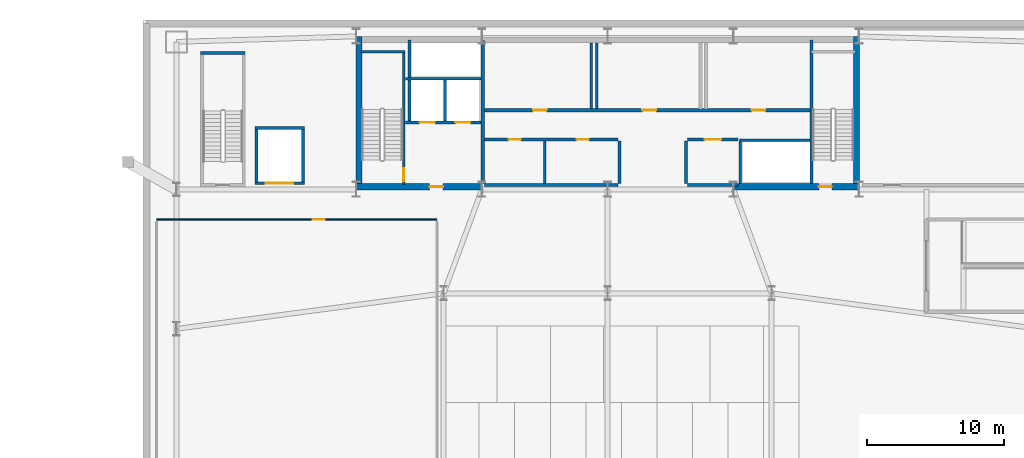
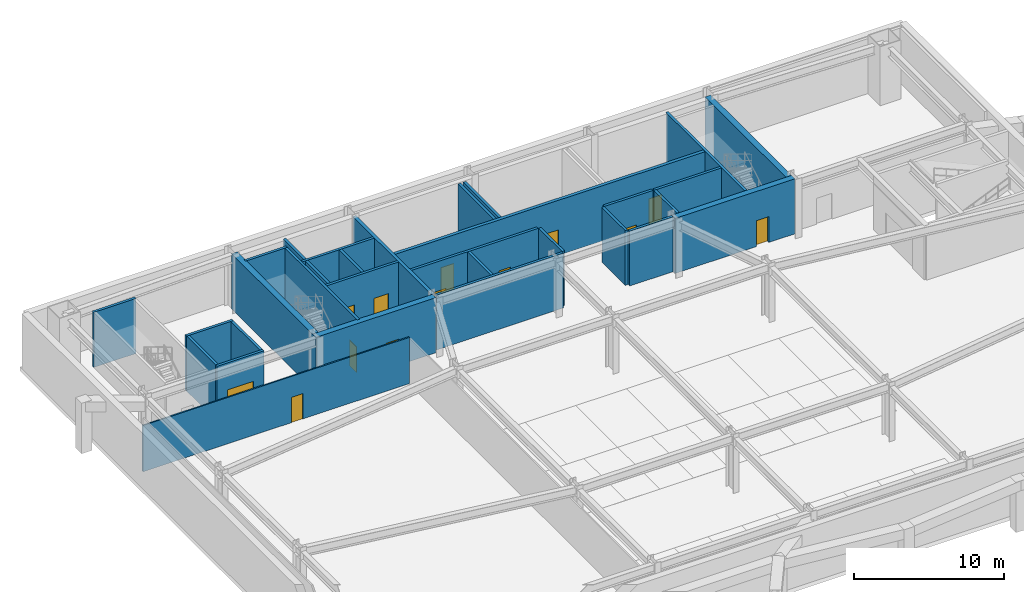
# One storey, part 5 of 9: 30 walls, 13 doors, 13 openings.
"""IFC4 building model written with IfcOpenShell, lengths in metres."""

from ifc_helpers import new_model, si_unit, direction, frame, frame_2d, origin, place, context, subcontext, project, spatial, rectangle, extrude, source, transform, mapped, material, layer, layer_set, type_object, type_shapes, element, fill, save


model = new_model("IFC4")

# Units and contexts
model_context = context("Model", 3, precision=1e-05, world=origin(), true_north=direction((0.0, 1.0)))
body_context = subcontext(model_context, "Body", "Model", "MODEL_VIEW")
ifc_project = project(units=[si_unit("LENGTHUNIT", "METRE"), si_unit("AREAUNIT", "SQUARE_METRE"), si_unit("VOLUMEUNIT", "CUBIC_METRE"), si_unit("PLANEANGLEUNIT", "RADIAN"), si_unit("MASSUNIT", "GRAM", prefix="KILO")], contexts=[model_context])

# Site, building, storey
site_placement = place(None, origin())
site = spatial("IfcSite", under=ifc_project, at=site_placement, CompositionType="ELEMENT")
building_placement = place(site_placement, origin())
building = spatial("IfcBuilding", under=site, at=building_placement, Name="Varnel Quay Broadcast Tower", CompositionType="ELEMENT")
storey_placement = place(building_placement, frame((0.0, 0.0, -4.800048828125)))
storey = spatial("IfcBuildingStorey", under=building, at=storey_placement, Name="B1", CompositionType="ELEMENT", Elevation=-4.800048828125)

# Wall, opening, door
ifc_material_1 = material(Name="Concrete CSA A23.3 C50/60", Category="concrete")
ifc_layer_1 = layer(ifc_material_1, 0.199951171875, Name="Concrete CSA A23.3 C50/60")
ifc_layer_set_1 = layer_set([ifc_layer_1], Name="Concrete CSA A23.3 C50/60")
wall_type_1 = type_object("IfcWallType", Name="Wall_CoreShaftShear200", PredefinedType="SHEAR", material=ifc_layer_set_1)
wall_1_placement = place(storey_placement, frame((19.080078125, 35.949951171875, 0.0), z_axis=(0.0, 0.0, 1.0), x_axis=(0.0, 1.0, 0.0)))
wall_1 = element("IfcWall", 1, at=wall_1_placement, inside=storey, type_object=wall_type_1, Name="B1 Stair 1 East Structural Wall", PredefinedType="SHEAR", context=body_context, shape_type="SweptSolid", body=[
    extrude(rectangle(XDim=9.650146484375, YDim=0.199951171875, at=frame_2d((4.8251953125, 0.0))), origin(), (0.0, 0.0, 1.0), 4.47998046875),
])
opening_1_placement = place(wall_1_placement, frame((0.25, 0.0, 0.0)))
opening_1 = element("IfcOpeningElement", 2, at=opening_1_placement, cuts=wall_1, Name="Opening D-B1-S1", PredefinedType="OPENING", context=body_context, shape_type="SweptSolid", body=[
    extrude(rectangle(XDim=0.949951171875, YDim=2.10009765625, at=frame_2d((0.47509765625, 1.050048828125))), frame((0.0, 0.10986328125, 0.0), z_axis=(0.0, -1.0, 0.0), x_axis=(1.0, 0.0, 0.0)), (0.0, 0.0, 1.0), 0.219970703125),
])
ifc_material_2 = material(Name="Insulated Fire-Rated Hollow Steel Door", Category="steel")
door_type_1 = type_object("IfcDoorType", Name="Door_FireStair950", OperationType="NOTDEFINED", PredefinedType="DOOR", material=ifc_material_2)
shared_shape_1 = source(origin(), body_context, "Body", "SweptSolid", [
    extrude(rectangle(XDim=0.949951171875, YDim=2.10009765625, at=frame_2d((0.47509765625, 1.050048828125))), frame((0.0, 0.02490234375, 0.0), z_axis=(0.0, -1.0, 0.0), x_axis=(1.0, 0.0, 0.0)), (0.0, 0.0, 1.0), 0.050048828125),
])
type_shapes(door_type_1, [shared_shape_1])
door_1_placement = place(opening_1_placement, origin())
door_1 = element("IfcDoor", 3, at=door_1_placement, inside=storey, type_object=door_type_1, Name="B1 Stair 1 Fire Door", OperationType="SINGLE_SWING_LEFT", OverallHeight=2.10009765625, OverallWidth=0.949951171875, PredefinedType="DOOR", context=body_context, shape_type="MappedRepresentation", body=[
    mapped(shared_shape_1, transform((0.0, 0.0, 0.0), x_axis=(1.0, 0.0, 0.0), y_axis=(0.0, 1.0, 0.0), z_axis=(0.0, 0.0, 1.0), scale=1.0)),
])
fill(opening_1, door_1)

# Wall
wall_2_placement = place(storey_placement, frame((15.949951171875, 45.679931640625, 0.0), z_axis=(0.0, 0.0, 1.0), x_axis=(1.0, 0.0, 0.0)))
element("IfcWall", 4, at=wall_2_placement, inside=storey, type_object=wall_type_1, Name="B1 Stair 1 North Structural Wall", PredefinedType="SHEAR", context=body_context, shape_type="SweptSolid", body=[
    extrude(rectangle(XDim=3.22998046875, YDim=0.199951171875, at=frame_2d((1.614990234375, 0.0))), origin(), (0.0, 0.0, 1.0), 4.47998046875),
])

# Wall, openings, doors
wall_3_placement = place(storey_placement, frame((19.199951171875, 40.5, 0.0), z_axis=(0.0, 0.0, 1.0), x_axis=(1.0, 0.0, 0.0)))
wall_3 = element("IfcWall", 5, at=wall_3_placement, inside=storey, type_object=wall_type_1, Name="B1 Firefighter Lift Shaft Front Wall", PredefinedType="SHEAR", context=body_context, shape_type="SweptSolid", body=[
    extrude(rectangle(XDim=5.52001953125, YDim=0.199951171875, at=frame_2d((2.760009765625, 0.0))), origin(), (0.0, 0.0, 1.0), 4.47998046875),
])
opening_2_placement = place(wall_3_placement, frame((1.050048828125, 0.0, 0.0)))
opening_2 = element("IfcOpeningElement", 6, at=opening_2_placement, cuts=wall_3, Name="Opening LD-B1-FE1", PredefinedType="OPENING", context=body_context, shape_type="SweptSolid", body=[
    extrude(rectangle(XDim=1.10009765625, YDim=2.179931640625, at=frame_2d((0.550048828125, 1.08984375))), frame((0.0, 0.10986328125, 0.0), z_axis=(0.0, -1.0, 0.0), x_axis=(1.0, 0.0, 0.0)), (0.0, 0.0, 1.0), 0.219970703125),
])
opening_3_placement = place(wall_3_placement, frame((3.64990234375, 0.0, 0.0)))
opening_3 = element("IfcOpeningElement", 7, at=opening_3_placement, cuts=wall_3, Name="Opening LD-B1-FE2", PredefinedType="OPENING", context=body_context, shape_type="SweptSolid", body=[
    extrude(rectangle(XDim=1.10009765625, YDim=2.179931640625, at=frame_2d((0.550048828125, 1.08984375))), frame((0.0, 0.10986328125, 0.0), z_axis=(0.0, -1.0, 0.0), x_axis=(1.0, 0.0, 0.0)), (0.0, 0.0, 1.0), 0.219970703125),
])
ifc_material_3 = material(Name="Brushed Bronze-Stainless Lift Car & Sliding Doors", Category="steel")
door_type_2 = type_object("IfcDoorType", Name="Door_LiftLanding1100", OperationType="SLIDING_TO_LEFT", PredefinedType="DOOR", material=ifc_material_3)
shared_shape_2 = source(origin(), body_context, "Body", "SweptSolid", [
    extrude(rectangle(XDim=1.10009765625, YDim=2.179931640625, at=frame_2d((0.550048828125, 1.08984375))), frame((0.0, 0.02490234375, 0.0), z_axis=(0.0, -1.0, 0.0), x_axis=(1.0, 0.0, 0.0)), (0.0, 0.0, 1.0), 0.050048828125),
])
type_shapes(door_type_2, [shared_shape_2])
door_2_placement = place(opening_2_placement, frame((1.10009765625, 0.0, 0.0), z_axis=(0.0, 0.0, 1.0), x_axis=(-1.0, 0.0, 0.0)))
door_2 = element("IfcDoor", 8, at=door_2_placement, inside=storey, type_object=door_type_2, Name="B1 Firefighter Lift FE-01 Landing Door", OperationType="SLIDING_TO_LEFT", OverallHeight=2.179931640625, OverallWidth=1.10009765625, PredefinedType="DOOR", context=body_context, shape_type="MappedRepresentation", body=[
    mapped(shared_shape_2, transform((0.0, 0.0, 0.0), x_axis=(1.0, 0.0, 0.0), y_axis=(0.0, 1.0, 0.0), z_axis=(0.0, 0.0, 1.0), scale=1.0)),
])
fill(opening_2, door_2)
door_3_placement = place(opening_3_placement, frame((1.10009765625, 0.0, 0.0), z_axis=(0.0, 0.0, 1.0), x_axis=(-1.0, 0.0, 0.0)))
door_3 = element("IfcDoor", 9, at=door_3_placement, inside=storey, type_object=door_type_2, Name="B1 Firefighter Lift FE-02 Landing Door", OperationType="SLIDING_TO_RIGHT", OverallHeight=2.179931640625, OverallWidth=1.10009765625, PredefinedType="DOOR", context=body_context, shape_type="MappedRepresentation", body=[
    mapped(shared_shape_2, transform((0.0, 0.0, 0.0), x_axis=(1.0, 0.0, 0.0), y_axis=(0.0, 1.0, 0.0), z_axis=(0.0, 0.0, 1.0), scale=1.0)),
])
fill(opening_3, door_3)

# Walls
wall_4_placement = place(storey_placement, frame((19.199951171875, 43.699951171875, 0.0), z_axis=(0.0, 0.0, 1.0), x_axis=(1.0, 0.0, 0.0)))
element("IfcWall", 10, at=wall_4_placement, inside=storey, type_object=wall_type_1, Name="B1 Firefighter Lift Shaft Rear Wall", PredefinedType="SHEAR", context=body_context, shape_type="SweptSolid", body=[
    extrude(rectangle(XDim=5.52001953125, YDim=0.199951171875, at=frame_2d((2.760009765625, 0.0))), origin(), (0.0, 0.0, 1.0), 4.47998046875),
])
wall_5_placement = place(storey_placement, frame((22.10009765625, 40.60009765625, 0.0), z_axis=(0.0, 0.0, 1.0), x_axis=(0.0, 1.0, 0.0)))
element("IfcWall", 11, at=wall_5_placement, inside=storey, type_object=wall_type_1, Name="B1 Firefighter Lift Shaft Divider", PredefinedType="SHEAR", context=body_context, shape_type="SweptSolid", body=[
    extrude(rectangle(XDim=3.0, YDim=0.199951171875, at=frame_2d((1.5, 0.0))), origin(), (0.0, 0.0, 1.0), 4.47998046875),
])
wall_6_placement = place(storey_placement, frame((19.5, 40.60009765625, 0.0), z_axis=(0.0, 0.0, 1.0), x_axis=(0.0, 1.0, 0.0)))
element("IfcWall", 12, at=wall_6_placement, inside=storey, type_object=wall_type_1, Name="B1 Firefighter Lift Shaft West Wall", PredefinedType="SHEAR", context=body_context, shape_type="SweptSolid", body=[
    extrude(rectangle(XDim=5.949951171875, YDim=0.199951171875, at=frame_2d((2.97509765625, 0.0))), origin(), (0.0, 0.0, 1.0), 4.47998046875),
])
wall_7_placement = place(storey_placement, frame((48.919921875, 36.050048828125, 0.0), z_axis=(0.0, 0.0, 1.0), x_axis=(0.0, 1.0, 0.0)))
element("IfcWall", 13, at=wall_7_placement, inside=storey, type_object=wall_type_1, Name="B1 Stair 2 West Structural Wall", PredefinedType="SHEAR", context=body_context, shape_type="SweptSolid", body=[
    extrude(rectangle(XDim=10.5, YDim=0.199951171875, at=frame_2d((5.25, 0.0))), origin(), (0.0, 0.0, 1.0), 4.47998046875),
])
wall_8_placement = place(storey_placement, frame((43.699951171875, 36.050048828125, 0.0), z_axis=(0.0, 0.0, 1.0), x_axis=(0.0, 1.0, 0.0)))
element("IfcWall", 14, at=wall_8_placement, inside=storey, type_object=wall_type_1, Name="B1 Express Lift Shaft West Wall", PredefinedType="SHEAR", context=body_context, shape_type="SweptSolid", body=[
    extrude(rectangle(XDim=3.050048828125, YDim=0.199951171875, at=frame_2d((1.52490234375, 0.0))), origin(), (0.0, 0.0, 1.0), 4.47998046875),
])
wall_9_placement = place(storey_placement, frame((43.64990234375, 39.199951171875, 0.0), z_axis=(0.0, 0.0, 1.0), x_axis=(1.0, 0.0, 0.0)))
element("IfcWall", 15, at=wall_9_placement, inside=storey, type_object=wall_type_1, Name="B1 Express Lift Shaft North Front Wall", PredefinedType="SHEAR", context=body_context, shape_type="SweptSolid", body=[
    extrude(rectangle(XDim=5.150146484375, YDim=0.199951171875, at=frame_2d((2.5751953125, 0.0))), origin(), (0.0, 0.0, 1.0), 4.47998046875),
])
wall_10_placement = place(storey_placement, frame((4.219970703125, 45.580078125, 0.0), z_axis=(0.0, 0.0, 1.0), x_axis=(1.0, 0.0, 0.0)))
element("IfcWall", 16, at=wall_10_placement, inside=storey, type_object=wall_type_1, Name="B1 Podium Stair 3 N Structural Wall", PredefinedType="SHEAR", context=body_context, shape_type="SweptSolid", body=[
    extrude(rectangle(XDim=3.260009765625, YDim=0.199951171875, at=frame_2d((1.6298828125, 0.0))), origin(), (0.0, 0.0, 1.0), 4.47998046875),
])
for number, where, z_axis, x_axis, name in (
    (17, (8.300048828125, 36.14990234375, 0.0), (0.0, 0.0, 1.0), (0.0, 1.0, 0.0), "B1 Freight Lift Shaft W Wall"),
    (18, (11.699951171875, 36.14990234375, 0.0), (0.0, 0.0, 1.0), (0.0, 1.0, 0.0), "B1 Freight Lift Shaft E Wall"),
):
    element("IfcWall", number, at=place(storey_placement, frame(where, z_axis=z_axis, x_axis=x_axis)), inside=storey, type_object=wall_type_1, Name=name, PredefinedType="SHEAR", context=body_context, shape_type="SweptSolid", body=[
        extrude(rectangle(XDim=3.85009765625, YDim=0.199951171875, at=frame_2d((1.925048828125, 0.0))), origin(), (0.0, 0.0, 1.0), 4.47998046875),
    ])
wall_11_placement = place(storey_placement, frame((8.199951171875, 40.10009765625, 0.0), z_axis=(0.0, 0.0, 1.0), x_axis=(1.0, 0.0, 0.0)))
element("IfcWall", 19, at=wall_11_placement, inside=storey, type_object=wall_type_1, Name="B1 Freight Lift Shaft N Wall", PredefinedType="SHEAR", context=body_context, shape_type="SweptSolid", body=[
    extrude(rectangle(XDim=3.60009765625, YDim=0.199951171875, at=frame_2d((1.800048828125, 0.0))), origin(), (0.0, 0.0, 1.0), 4.47998046875),
])

# Wall, opening, door
wall_12_placement = place(storey_placement, frame((8.199951171875, 36.050048828125, 0.0), z_axis=(0.0, 0.0, 1.0), x_axis=(1.0, 0.0, 0.0)))
wall_12 = element("IfcWall", 20, at=wall_12_placement, inside=storey, type_object=wall_type_1, Name="B1 Studio Freight Lift Front Wall", PredefinedType="SHEAR", context=body_context, shape_type="SweptSolid", body=[
    extrude(rectangle(XDim=3.60009765625, YDim=0.199951171875, at=frame_2d((1.800048828125, 0.0))), origin(), (0.0, 0.0, 1.0), 4.47998046875),
])
opening_4_placement = place(wall_12_placement, frame((0.800048828125, 0.0, 0.0)))
opening_4 = element("IfcOpeningElement", 21, at=opening_4_placement, cuts=wall_12, Name="Opening LD-B1-BF1", PredefinedType="OPENING", context=body_context, shape_type="SweptSolid", body=[
    extrude(rectangle(XDim=2.0, YDim=2.280029296875, at=frame_2d((1.0, 1.14013671875))), frame((0.0, 0.10986328125, 0.0), z_axis=(0.0, -1.0, 0.0), x_axis=(1.0, 0.0, 0.0)), (0.0, 0.0, 1.0), 0.219970703125),
])
door_type_3 = type_object("IfcDoorType", Name="Door_FreightLanding2000", OperationType="DOUBLE_DOOR_SLIDING", PredefinedType="DOOR", material=ifc_material_3)
shared_shape_3 = source(origin(), body_context, "Body", "SweptSolid", [
    extrude(rectangle(XDim=2.0, YDim=2.280029296875, at=frame_2d((1.0, 1.14013671875))), frame((0.0, 0.02490234375, 0.0), z_axis=(0.0, -1.0, 0.0), x_axis=(1.0, 0.0, 0.0)), (0.0, 0.0, 1.0), 0.050048828125),
])
type_shapes(door_type_3, [shared_shape_3])
door_4_placement = place(opening_4_placement, frame((2.0, 0.0, 0.0), z_axis=(0.0, 0.0, 1.0), x_axis=(-1.0, 0.0, 0.0)))
door_4 = element("IfcDoor", 22, at=door_4_placement, inside=storey, type_object=door_type_3, Name="B1 Freight Lift BF-01 Landing Door", OperationType="DOUBLE_DOOR_SLIDING", OverallHeight=2.280029296875, OverallWidth=2.0, PredefinedType="DOOR", context=body_context, shape_type="MappedRepresentation", body=[
    mapped(shared_shape_3, transform((0.0, 0.0, 0.0), x_axis=(1.0, 0.0, 0.0), y_axis=(0.0, 1.0, 0.0), z_axis=(0.0, 0.0, 1.0), scale=1.0)),
])
fill(opening_4, door_4)

# Wall
ifc_layer_2 = layer(ifc_material_1, 0.25, Name="Concrete CSA A23.3 C50/60")
ifc_layer_set_2 = layer_set([ifc_layer_2], Name="Concrete CSA A23.3 C50/60")
wall_type_2 = type_object("IfcWallType", Name="Wall_CoreShaftShear250", PredefinedType="SHEAR", material=ifc_layer_set_2)
wall_13_placement = place(storey_placement, frame((24.85009765625, 36.050048828125, 0.0), z_axis=(0.0, 0.0, 1.0), x_axis=(0.0, 1.0, 0.0)))
element("IfcWall", 23, at=wall_13_placement, inside=storey, type_object=wall_type_2, Name="B1 Firefighting Lobby East Structural Wall", PredefinedType="SHEAR", context=body_context, shape_type="SweptSolid", body=[
    extrude(rectangle(XDim=10.449951171875, YDim=0.25, at=frame_2d((5.22509765625, 0.0))), origin(), (0.0, 0.0, 1.0), 4.47998046875),
])

# Wall, openings, doors
wall_14_placement = place(storey_placement, frame((24.97998046875, 41.39990234375, 0.0), z_axis=(0.0, 0.0, 1.0), x_axis=(1.0, 0.0, 0.0)))
wall_14 = element("IfcWall", 24, at=wall_14_placement, inside=storey, type_object=wall_type_2, Name="B1 North Lift Bank & Reclaimed Suite Wall", PredefinedType="SHEAR", context=body_context, shape_type="SweptSolid", body=[
    extrude(rectangle(XDim=23.820068359375, YDim=0.25, at=frame_2d((11.91015625, 0.0))), origin(), (0.0, 0.0, 1.0), 4.47998046875),
])
opening_5_placement = place(wall_14_placement, frame((3.56005859375, 0.0, 0.0)))
opening_5 = element("IfcOpeningElement", 25, at=opening_5_placement, cuts=wall_14, Name="Opening D-B1-BSTOR1", PredefinedType="OPENING", context=body_context, shape_type="SweptSolid", body=[
    extrude(rectangle(XDim=1.0, YDim=2.080078125, at=frame_2d((0.5, 1.0400390625))), frame((0.0, 0.135009765625, 0.0), z_axis=(0.0, -1.0, 0.0), x_axis=(1.0, 0.0, 0.0)), (0.0, 0.0, 1.0), 0.27001953125),
])
opening_6_placement = place(wall_14_placement, frame((11.56005859375, 0.0, 0.0)))
opening_6 = element("IfcOpeningElement", 26, at=opening_6_placement, cuts=wall_14, Name="Opening D-B1-BSTOR2", PredefinedType="OPENING", context=body_context, shape_type="SweptSolid", body=[
    extrude(rectangle(XDim=1.0, YDim=2.080078125, at=frame_2d((0.5, 1.0400390625))), frame((0.0, 0.135009765625, 0.0), z_axis=(0.0, -1.0, 0.0), x_axis=(1.0, 0.0, 0.0)), (0.0, 0.0, 1.0), 0.27001953125),
])
opening_7_placement = place(wall_14_placement, frame((19.56005859375, 0.0, 0.0)))
opening_7 = element("IfcOpeningElement", 27, at=opening_7_placement, cuts=wall_14, Name="Opening D-B1-BSTOR3", PredefinedType="OPENING", context=body_context, shape_type="SweptSolid", body=[
    extrude(rectangle(XDim=1.0, YDim=2.080078125, at=frame_2d((0.5, 1.0400390625))), frame((0.0, 0.135009765625, 0.0), z_axis=(0.0, -1.0, 0.0), x_axis=(1.0, 0.0, 0.0)), (0.0, 0.0, 1.0), 0.27001953125),
])
door_type_4 = type_object("IfcDoorType", Name="Door_FireLobby1000", OperationType="NOTDEFINED", PredefinedType="DOOR", material=ifc_material_2)
shared_shape_4 = source(origin(), body_context, "Body", "SweptSolid", [
    extrude(rectangle(XDim=1.0, YDim=2.080078125, at=frame_2d((0.5, 1.0400390625))), frame((0.0, 0.02490234375, 0.0), z_axis=(0.0, -1.0, 0.0), x_axis=(1.0, 0.0, 0.0)), (0.0, 0.0, 1.0), 0.050048828125),
])
door_5_placement = place(opening_5_placement, origin())
door_5 = element("IfcDoor", 28, at=door_5_placement, inside=storey, type_object=door_type_4, Name="B1 Basement Pump Room Door", OperationType="SINGLE_SWING_RIGHT", OverallHeight=2.080078125, OverallWidth=1.0, PredefinedType="DOOR", context=body_context, shape_type="MappedRepresentation", body=[
    mapped(shared_shape_4, transform((0.0, 0.0, 0.0), x_axis=(1.0, 0.0, 0.0), y_axis=(0.0, 1.0, 0.0), z_axis=(0.0, 0.0, 1.0), scale=1.0)),
])
fill(opening_5, door_5)
door_6_placement = place(opening_6_placement, origin())
door_6 = element("IfcDoor", 29, at=door_6_placement, inside=storey, type_object=door_type_4, Name="B1 Sprinkler Valve Room Door", OperationType="SINGLE_SWING_LEFT", OverallHeight=2.080078125, OverallWidth=1.0, PredefinedType="DOOR", context=body_context, shape_type="MappedRepresentation", body=[
    mapped(shared_shape_4, transform((0.0, 0.0, 0.0), x_axis=(1.0, 0.0, 0.0), y_axis=(0.0, 1.0, 0.0), z_axis=(0.0, 0.0, 1.0), scale=1.0)),
])
fill(opening_6, door_6)
door_7_placement = place(opening_7_placement, origin())
door_7 = element("IfcDoor", 30, at=door_7_placement, inside=storey, type_object=door_type_4, Name="B1 Main Switchgear Vault Door", OperationType="SINGLE_SWING_RIGHT", OverallHeight=2.080078125, OverallWidth=1.0, PredefinedType="DOOR", context=body_context, shape_type="MappedRepresentation", body=[
    mapped(shared_shape_4, transform((0.0, 0.0, 0.0), x_axis=(1.0, 0.0, 0.0), y_axis=(0.0, 1.0, 0.0), z_axis=(0.0, 0.0, 1.0), scale=1.0)),
])
fill(opening_7, door_7)

# Walls
ifc_material_4 = material(Name="Concrete CSA A23.3 C60/75", Category="concrete")
ifc_layer_3 = layer(ifc_material_4, 0.449951171875, Name="Concrete CSA A23.3 C60/75")
ifc_layer_set_3 = layer_set([ifc_layer_3], Name="Concrete CSA A23.3 C60/75")
wall_type_3 = type_object("IfcWallType", Name="Wall_CoreShearInt450", PredefinedType="SHEAR", material=ifc_layer_set_3)
for number, where, z_axis, x_axis, name in (
    (31, (15.794921875, 35.570068359375, 0.0), (0.0, 0.0, 1.0), (0.0, 1.0, 0.0), "B1 West Core Shear Wall"),
    (32, (52.205078125, 35.570068359375, 0.0), (0.0, 0.0, 1.0), (0.0, 1.0, 0.0), "B1 East Core Shear Wall"),
):
    element("IfcWall", number, at=place(storey_placement, frame(where, z_axis=z_axis, x_axis=x_axis)), inside=storey, type_object=wall_type_3, Name=name, PredefinedType="SHEAR", context=body_context, shape_type="SweptSolid", body=[
        extrude(rectangle(XDim=11.22998046875, YDim=0.449951171875, at=frame_2d((5.614990234375, 0.0))), origin(), (0.0, 0.0, 1.0), 4.47998046875),
    ])

# Wall, opening, door
wall_15_placement = place(storey_placement, frame((15.570068359375, 35.794921875, 0.0), z_axis=(0.0, 0.0, 1.0), x_axis=(1.0, 0.0, 0.0)))
wall_15 = element("IfcWall", 33, at=wall_15_placement, inside=storey, type_object=wall_type_3, Name="B1 South-West Core Shear Wall", PredefinedType="SHEAR", context=body_context, shape_type="SweptSolid", body=[
    extrude(rectangle(XDim=9.22998046875, YDim=0.449951171875, at=frame_2d((4.614990234375, 0.0))), origin(), (0.0, 0.0, 1.0), 4.47998046875),
])
opening_8_placement = place(wall_15_placement, frame((5.39990234375, 0.0, 0.0)))
opening_8 = element("IfcOpeningElement", 34, at=opening_8_placement, cuts=wall_15, Name="Opening D-B1-FFL", PredefinedType="OPENING", context=body_context, shape_type="SweptSolid", body=[
    extrude(rectangle(XDim=1.0, YDim=2.10009765625, at=frame_2d((0.5, 1.050048828125))), frame((0.0, 0.23486328125, 0.0), z_axis=(0.0, -1.0, 0.0), x_axis=(1.0, 0.0, 0.0)), (0.0, 0.0, 1.0), 0.469970703125),
])
shared_shape_5 = source(origin(), body_context, "Body", "SweptSolid", [
    extrude(rectangle(XDim=1.0, YDim=2.10009765625, at=frame_2d((0.5, 1.050048828125))), frame((0.0, 0.02490234375, 0.0), z_axis=(0.0, -1.0, 0.0), x_axis=(1.0, 0.0, 0.0)), (0.0, 0.0, 1.0), 0.050048828125),
])
type_shapes(door_type_4, [shared_shape_5, shared_shape_4])
door_8_placement = place(opening_8_placement, origin())
door_8 = element("IfcDoor", 35, at=door_8_placement, inside=storey, type_object=door_type_4, Name="B1 Firefighting Lobby Door", OperationType="SINGLE_SWING_RIGHT", OverallHeight=2.10009765625, OverallWidth=1.0, PredefinedType="DOOR", context=body_context, shape_type="MappedRepresentation", body=[
    mapped(shared_shape_5, transform((0.0, 0.0, 0.0), x_axis=(1.0, 0.0, 0.0), y_axis=(0.0, 1.0, 0.0), z_axis=(0.0, 0.0, 1.0), scale=1.0)),
])
fill(opening_8, door_8)

wall_16_placement = place(storey_placement, frame((43.199951171875, 35.794921875, 0.0), z_axis=(0.0, 0.0, 1.0), x_axis=(1.0, 0.0, 0.0)))
wall_16 = element("IfcWall", 36, at=wall_16_placement, inside=storey, type_object=wall_type_3, Name="B1 South-East Core Shear Wall", PredefinedType="SHEAR", context=body_context, shape_type="SweptSolid", body=[
    extrude(rectangle(XDim=9.22998046875, YDim=0.449951171875, at=frame_2d((4.614990234375, 0.0))), origin(), (0.0, 0.0, 1.0), 4.47998046875),
])
opening_9_placement = place(wall_16_placement, frame((6.25, 0.0, 0.0)))
opening_9 = element("IfcOpeningElement", 37, at=opening_9_placement, cuts=wall_16, Name="Opening D-B1-S2", PredefinedType="OPENING", context=body_context, shape_type="SweptSolid", body=[
    extrude(rectangle(XDim=0.949951171875, YDim=2.10009765625, at=frame_2d((0.47509765625, 1.050048828125))), frame((0.0, 0.23486328125, 0.0), z_axis=(0.0, -1.0, 0.0), x_axis=(1.0, 0.0, 0.0)), (0.0, 0.0, 1.0), 0.469970703125),
])
door_9_placement = place(opening_9_placement, origin())
door_9 = element("IfcDoor", 38, at=door_9_placement, inside=storey, type_object=door_type_1, Name="B1 Stair 2 Fire Door", OperationType="SINGLE_SWING_LEFT", OverallHeight=2.10009765625, OverallWidth=0.949951171875, PredefinedType="DOOR", context=body_context, shape_type="MappedRepresentation", body=[
    mapped(shared_shape_1, transform((0.0, 0.0, 0.0), x_axis=(1.0, 0.0, 0.0), y_axis=(0.0, 1.0, 0.0), z_axis=(0.0, 0.0, 1.0), scale=1.0)),
])
fill(opening_9, door_9)

# Wall
ifc_material_5 = material(Name="Concrete Blockwork Fire Enclosure C40/50", Category="masonry")
ifc_layer_4 = layer(ifc_material_5, 0.199951171875, Name="Concrete Blockwork Fire Enclosure C40/50")
ifc_layer_set_4 = layer_set([ifc_layer_4], Name="Concrete Blockwork Fire Enclosure C40/50")
wall_type_4 = type_object("IfcWallType", Name="Wall_FireShaft200", PredefinedType="SOLIDWALL", material=ifc_layer_set_4)
wall_17_placement = place(storey_placement, frame((39.85009765625, 35.925048828125, 0.0), z_axis=(0.0, 0.0, 1.0), x_axis=(1.0, 0.0, 0.0)))
element("IfcWall", 39, at=wall_17_placement, inside=storey, type_object=wall_type_4, Name="B1 Electrical Sub-Distribution Closet Partition 5", PredefinedType="SOLIDWALL", context=body_context, shape_type="SweptSolid", body=[
    extrude(rectangle(XDim=3.699951171875, YDim=0.199951171875, at=frame_2d((1.85009765625, 0.0))), origin(), (0.0, 0.0, 1.0), 4.4599609375),
])

# Wall, opening, door
wall_18_placement = place(storey_placement, frame((39.85009765625, 39.25, 0.0), z_axis=(0.0, 0.0, 1.0), x_axis=(1.0, 0.0, 0.0)))
wall_18 = element("IfcWall", 40, at=wall_18_placement, inside=storey, type_object=wall_type_4, Name="B1 Electrical Sub-Distribution Closet Partition 6", PredefinedType="SOLIDWALL", context=body_context, shape_type="SweptSolid", body=[
    extrude(rectangle(XDim=3.699951171875, YDim=0.199951171875, at=frame_2d((1.85009765625, 0.0))), origin(), (0.0, 0.0, 1.0), 4.4599609375),
])
opening_10_placement = place(wall_18_placement, frame((1.25, 0.0, 0.0)))
opening_10 = element("IfcOpeningElement", 41, at=opening_10_placement, cuts=wall_18, Name="Opening D-B1-03", PredefinedType="OPENING", context=body_context, shape_type="SweptSolid", body=[
    extrude(rectangle(XDim=1.199951171875, YDim=2.10009765625, at=frame_2d((0.60009765625, 1.050048828125))), frame((0.0, 0.10986328125, 0.0), z_axis=(0.0, -1.0, 0.0), x_axis=(1.0, 0.0, 0.0)), (0.0, 0.0, 1.0), 0.219970703125),
])
door_type_5 = type_object("IfcDoorType", Name="Door_Plant1200", OperationType="NOTDEFINED", PredefinedType="DOOR", material=ifc_material_2)
shared_shape_6 = source(origin(), body_context, "Body", "SweptSolid", [
    extrude(rectangle(XDim=1.199951171875, YDim=2.10009765625, at=frame_2d((0.60009765625, 1.050048828125))), frame((0.0, 0.02490234375, 0.0), z_axis=(0.0, -1.0, 0.0), x_axis=(1.0, 0.0, 0.0)), (0.0, 0.0, 1.0), 0.050048828125),
])
type_shapes(door_type_5, [shared_shape_6])
door_10_placement = place(opening_10_placement, origin())
door_10 = element("IfcDoor", 42, at=door_10_placement, inside=storey, type_object=door_type_5, Name="B1 Electrical Sub-Distribution Closet Door D-B1-03", OperationType="SINGLE_SWING_RIGHT", OverallHeight=2.10009765625, OverallWidth=1.199951171875, PredefinedType="DOOR", context=body_context, shape_type="MappedRepresentation", body=[
    mapped(shared_shape_6, transform((0.0, 0.0, 0.0), x_axis=(1.0, 0.0, 0.0), y_axis=(0.0, 1.0, 0.0), z_axis=(0.0, 0.0, 1.0), scale=1.0)),
])
fill(opening_10, door_10)

# Walls
wall_19_placement = place(storey_placement, frame((39.72509765625, 36.02490234375, 0.0), z_axis=(0.0, 0.0, 1.0), x_axis=(0.0, 1.0, 0.0)))
element("IfcWall", 43, at=wall_19_placement, inside=storey, type_object=wall_type_4, Name="B1 Electrical Sub-Distribution Closet Partition 7", PredefinedType="SOLIDWALL", context=body_context, shape_type="SweptSolid", body=[
    extrude(rectangle(XDim=3.125, YDim=0.199951171875, at=frame_2d((1.5625, 0.0))), origin(), (0.0, 0.0, 1.0), 4.4599609375),
])
for number, where, z_axis, x_axis, name in (
    (44, (32.800048828125, 41.5, 0.0), (0.0, 0.0, 1.0), (0.0, 1.0, 0.0), "B1 Basement Pump Room Partition 15"),
    (45, (33.199951171875, 41.5, 0.0), (0.0, 0.0, 1.0), (0.0, 1.0, 0.0), "B1 Sprinkler Valve Room Partition 17"),
):
    element("IfcWall", number, at=place(storey_placement, frame(where, z_axis=z_axis, x_axis=x_axis)), inside=storey, type_object=wall_type_4, Name=name, PredefinedType="SOLIDWALL", context=body_context, shape_type="SweptSolid", body=[
        extrude(rectangle(XDim=4.800048828125, YDim=0.199951171875, at=frame_2d((2.39990234375, 0.0))), origin(), (0.0, 0.0, 1.0), 4.4599609375),
    ])

# Wall, opening, door
ifc_material_6 = material(Name="Steel-Stud Fire-Rated Acoustic Gypsum Partition Assembly", Category="steel")
ifc_layer_5 = layer(ifc_material_6, 0.10498046875, Name="Steel-Stud Fire-Rated Acoustic Gypsum Partition Assembly")
ifc_layer_set_5 = layer_set([ifc_layer_5], Name="Steel-Stud Fire-Rated Acoustic Gypsum Partition Assembly")
wall_type_5 = type_object("IfcWallType", Name="Wall_Partition105", PredefinedType="PARTITIONING", material=ifc_layer_set_5)
wall_20_placement = place(storey_placement, frame((1.0, 33.39990234375, 0.0), z_axis=(0.0, 0.0, 1.0), x_axis=(1.0, 0.0, 0.0)))
wall_20 = element("IfcWall", 46, at=wall_20_placement, inside=storey, type_object=wall_type_5, Name="B1 Broadcast Master Tape & Digital Archive Vault Partition 10", PredefinedType="PARTITIONING", context=body_context, shape_type="SweptSolid", body=[
    extrude(rectangle(XDim=20.5, YDim=0.10498046875, at=frame_2d((10.25, 0.0))), origin(), (0.0, 0.0, 1.0), 3.760009765625),
])
opening_11_placement = place(wall_20_placement, frame((11.409912109375, 0.0, 0.0)))
opening_11 = element("IfcOpeningElement", 47, at=opening_11_placement, cuts=wall_20, Name="Opening D-B1-04", PredefinedType="OPENING", context=body_context, shape_type="SweptSolid", body=[
    extrude(rectangle(XDim=0.8798828125, YDim=2.06005859375, at=frame_2d((0.43994140625, 1.030029296875))), frame((0.0, 0.0625, 0.0), z_axis=(0.0, -1.0, 0.0), x_axis=(1.0, 0.0, 0.0)), (0.0, 0.0, 1.0), 0.125),
])
ifc_material_7 = material(Name="Solid-Core Fire-Rated Acoustic Oak Veneer Door", Category="wood")
door_type_6 = type_object("IfcDoorType", Name="Door_Booth880", OperationType="NOTDEFINED", PredefinedType="DOOR", material=ifc_material_7)
shared_shape_7 = source(origin(), body_context, "Body", "SweptSolid", [
    extrude(rectangle(XDim=0.8798828125, YDim=2.06005859375, at=frame_2d((0.43994140625, 1.030029296875))), frame((0.0, 0.02490234375, 0.0), z_axis=(0.0, -1.0, 0.0), x_axis=(1.0, 0.0, 0.0)), (0.0, 0.0, 1.0), 0.050048828125),
])
type_shapes(door_type_6, [shared_shape_7])
door_11_placement = place(opening_11_placement, frame((0.8798828125, 0.0, 0.0), z_axis=(0.0, 0.0, 1.0), x_axis=(-1.0, 0.0, 0.0)))
door_11 = element("IfcDoor", 48, at=door_11_placement, inside=storey, type_object=door_type_6, Name="B1 Broadcast Master Tape & Digital Archive Vault Door D-B1-04", OperationType="SINGLE_SWING_LEFT", OverallHeight=2.06005859375, OverallWidth=0.8798828125, PredefinedType="DOOR", context=body_context, shape_type="MappedRepresentation", body=[
    mapped(shared_shape_7, transform((0.0, 0.0, 0.0), x_axis=(1.0, 0.0, 0.0), y_axis=(0.0, 1.0, 0.0), z_axis=(0.0, 0.0, 1.0), scale=1.0)),
])
fill(opening_11, door_11)

# Walls
ifc_material_8 = material(Name="Fire-Rated Moisture-Resistant Plumbing Chase Partition")
ifc_layer_6 = layer(ifc_material_8, 0.199951171875, Name="Fire-Rated Moisture-Resistant Plumbing Chase Partition")
ifc_layer_set_6 = layer_set([ifc_layer_6], Name="Fire-Rated Moisture-Resistant Plumbing Chase Partition")
wall_type_6 = type_object("IfcWallType", Name="Wall_Plumbing200", PredefinedType="PLUMBINGWALL", material=ifc_layer_set_6)
wall_21_placement = place(storey_placement, frame((25.0, 35.925048828125, 0.0), z_axis=(0.0, 0.0, 1.0), x_axis=(1.0, 0.0, 0.0)))
element("IfcWall", 49, at=wall_21_placement, inside=storey, type_object=wall_type_6, Name="B1 Accessible Washroom Partition 1", PredefinedType="PLUMBINGWALL", context=body_context, shape_type="SweptSolid", body=[
    extrude(rectangle(XDim=9.75, YDim=0.199951171875, at=frame_2d((4.875, 0.0))), origin(), (0.0, 0.0, 1.0), 4.4599609375),
])
wall_22_placement = place(storey_placement, frame((29.39990234375, 36.02490234375, 0.0), z_axis=(0.0, 0.0, 1.0), x_axis=(0.0, 1.0, 0.0)))
element("IfcWall", 50, at=wall_22_placement, inside=storey, type_object=wall_type_6, Name="B1 Accessible Washroom Partition 2", PredefinedType="PLUMBINGWALL", context=body_context, shape_type="SweptSolid", body=[
    extrude(rectangle(XDim=3.125, YDim=0.199951171875, at=frame_2d((1.5625, 0.0))), origin(), (0.0, 0.0, 1.0), 4.4599609375),
])

# Wall, openings, doors
wall_23_placement = place(storey_placement, frame((25.0, 39.25, 0.0), z_axis=(0.0, 0.0, 1.0), x_axis=(1.0, 0.0, 0.0)))
wall_23 = element("IfcWall", 51, at=wall_23_placement, inside=storey, type_object=wall_type_6, Name="B1 Accessible Washroom Partition 3", PredefinedType="PLUMBINGWALL", context=body_context, shape_type="SweptSolid", body=[
    extrude(rectangle(XDim=9.75, YDim=0.199951171875, at=frame_2d((4.875, 0.0))), origin(), (0.0, 0.0, 1.0), 4.4599609375),
])
opening_12_placement = place(wall_23_placement, frame((1.75, 0.0, 0.0)))
opening_12 = element("IfcOpeningElement", 52, at=opening_12_placement, cuts=wall_23, Name="Opening D-B1-01", PredefinedType="OPENING", context=body_context, shape_type="SweptSolid", body=[
    extrude(rectangle(XDim=0.89990234375, YDim=2.06005859375, at=frame_2d((0.449951171875, 1.030029296875))), frame((0.0, 0.10986328125, 0.0), z_axis=(0.0, -1.0, 0.0), x_axis=(1.0, 0.0, 0.0)), (0.0, 0.0, 1.0), 0.219970703125),
])
opening_13_placement = place(wall_23_placement, frame((6.72509765625, 0.0, 0.0)))
opening_13 = element("IfcOpeningElement", 53, at=opening_13_placement, cuts=wall_23, Name="Opening D-B1-02", PredefinedType="OPENING", context=body_context, shape_type="SweptSolid", body=[
    extrude(rectangle(XDim=0.89990234375, YDim=2.06005859375, at=frame_2d((0.449951171875, 1.030029296875))), frame((0.0, 0.10986328125, 0.0), z_axis=(0.0, -1.0, 0.0), x_axis=(1.0, 0.0, 0.0)), (0.0, 0.0, 1.0), 0.219970703125),
])
door_type_7 = type_object("IfcDoorType", Name="Door_Washroom900", OperationType="NOTDEFINED", PredefinedType="DOOR", material=ifc_material_7)
shared_shape_8 = source(origin(), body_context, "Body", "SweptSolid", [
    extrude(rectangle(XDim=0.89990234375, YDim=2.06005859375, at=frame_2d((0.449951171875, 1.030029296875))), frame((0.0, 0.02490234375, 0.0), z_axis=(0.0, -1.0, 0.0), x_axis=(1.0, 0.0, 0.0)), (0.0, 0.0, 1.0), 0.050048828125),
])
type_shapes(door_type_7, [shared_shape_8])
door_12_placement = place(opening_12_placement, frame((0.89990234375, 0.0, 0.0), z_axis=(0.0, 0.0, 1.0), x_axis=(-1.0, 0.0, 0.0)))
door_12 = element("IfcDoor", 54, at=door_12_placement, inside=storey, type_object=door_type_7, Name="B1 Accessible Washroom Door D-B1-01", OperationType="SINGLE_SWING_RIGHT", OverallHeight=2.06005859375, OverallWidth=0.89990234375, PredefinedType="DOOR", context=body_context, shape_type="MappedRepresentation", body=[
    mapped(shared_shape_8, transform((0.0, 0.0, 0.0), x_axis=(1.0, 0.0, 0.0), y_axis=(0.0, 1.0, 0.0), z_axis=(0.0, 0.0, 1.0), scale=1.0)),
])
fill(opening_12, door_12)
door_13_placement = place(opening_13_placement, frame((0.89990234375, 0.0, 0.0), z_axis=(0.0, 0.0, 1.0), x_axis=(-1.0, 0.0, 0.0)))
door_13 = element("IfcDoor", 55, at=door_13_placement, inside=storey, type_object=door_type_7, Name="B1 Staff Washrooms Door D-B1-02", OperationType="SINGLE_SWING_LEFT", OverallHeight=2.06005859375, OverallWidth=0.89990234375, PredefinedType="DOOR", context=body_context, shape_type="MappedRepresentation", body=[
    mapped(shared_shape_8, transform((0.0, 0.0, 0.0), x_axis=(1.0, 0.0, 0.0), y_axis=(0.0, 1.0, 0.0), z_axis=(0.0, 0.0, 1.0), scale=1.0)),
])
fill(opening_13, door_13)

# Wall
wall_24_placement = place(storey_placement, frame((34.875, 36.02490234375, 0.0), z_axis=(0.0, 0.0, 1.0), x_axis=(0.0, 1.0, 0.0)))
element("IfcWall", 56, at=wall_24_placement, inside=storey, type_object=wall_type_6, Name="B1 Staff Washrooms Partition 4", PredefinedType="PLUMBINGWALL", context=body_context, shape_type="SweptSolid", body=[
    extrude(rectangle(XDim=3.125, YDim=0.199951171875, at=frame_2d((1.5625, 0.0))), origin(), (0.0, 0.0, 1.0), 4.4599609375),
])

save(model, "model.ifc")
